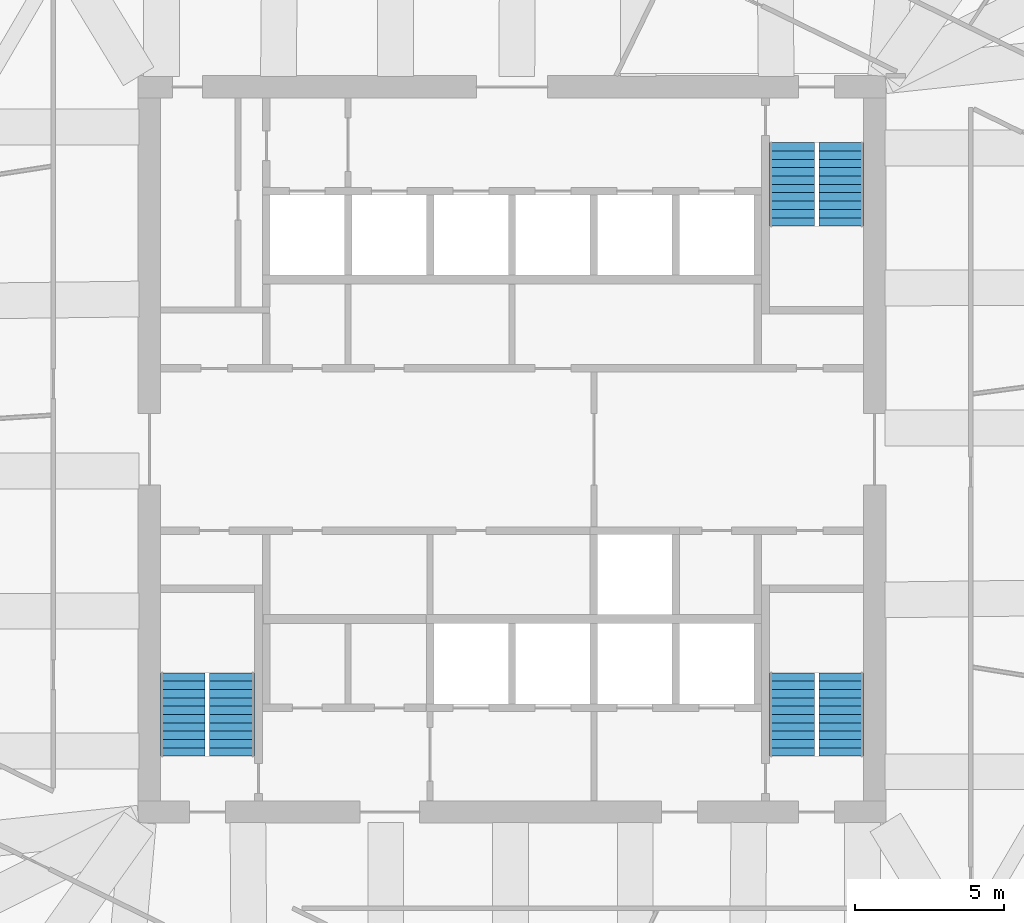
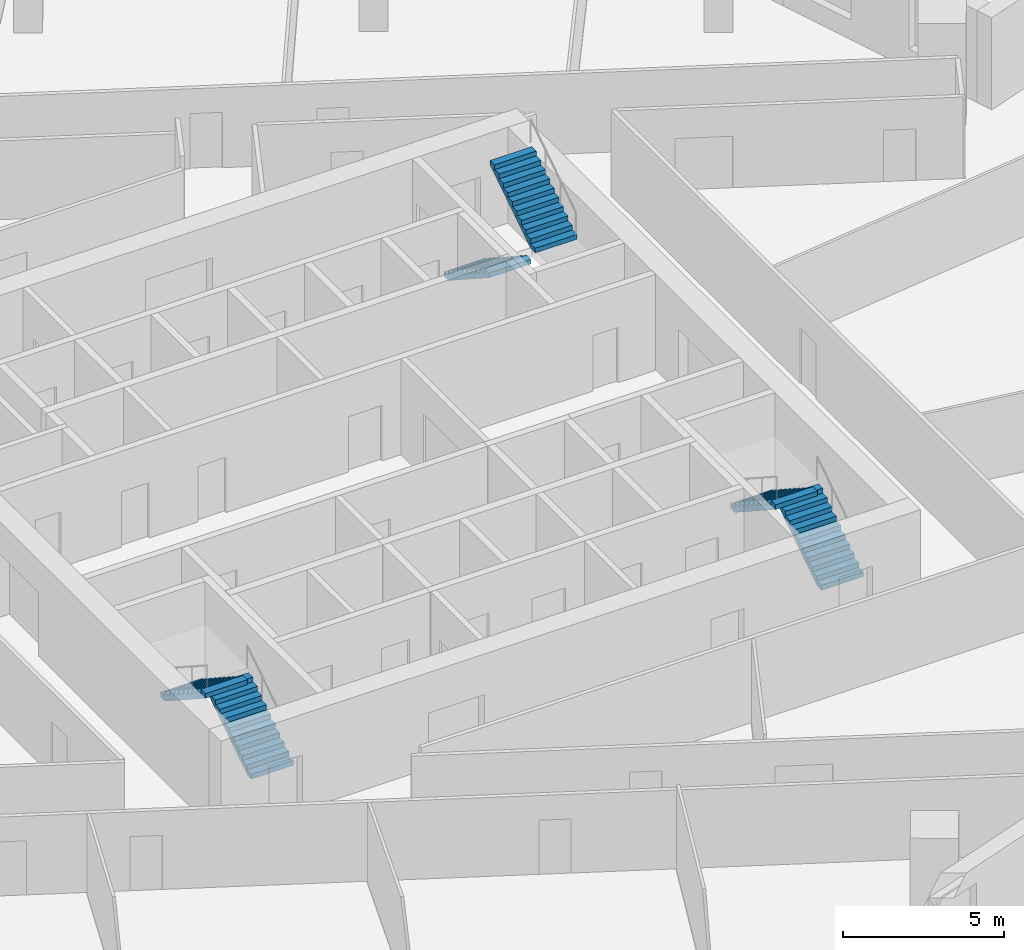
# One storey, part 11 of 13: 6 stair flights, 3 elements without a shape of their own.
"""IFC4 building model written with IfcOpenShell, lengths in metres."""

from ifc_helpers import new_model, si_unit, direction, frame, origin, place, context, subcontext, project, spatial, polyline, outline, extrude, material, type_object, element, aggregate, save


model = new_model("IFC4")

# Units and contexts
model_context = context("Model", 3, precision=1e-05, world=origin(), true_north=direction((0.0, 1.0)))
body_context = subcontext(model_context, "Body", "Model", "MODEL_VIEW")
ifc_project = project(units=[si_unit("LENGTHUNIT", "METRE"), si_unit("AREAUNIT", "SQUARE_METRE"), si_unit("VOLUMEUNIT", "CUBIC_METRE"), si_unit("PLANEANGLEUNIT", "RADIAN"), si_unit("MASSUNIT", "GRAM", prefix="KILO")], contexts=[model_context])

# Site, building, storey
site_placement = place(None, origin())
site = spatial("IfcSite", under=ifc_project, at=site_placement, CompositionType="ELEMENT")
building_placement = place(site_placement, origin())
building = spatial("IfcBuilding", under=site, at=building_placement, Name="Dilmun Exchange Tower", CompositionType="ELEMENT")
storey_placement = place(building_placement, frame((0.0, 0.0, 282.89990234375)))
storey = spatial("IfcBuildingStorey", under=building, at=storey_placement, Name="L67", CompositionType="ELEMENT", Elevation=282.89990234375)

# Stair, stair flights
ifc_material = material(Name="Concrete C40/50", Category="concrete")
stair_type = type_object("IfcStairType", Name="Exit stair 1500 half-turn", PredefinedType="HALF_TURN_STAIR", material=ifc_material)
stair_1_placement = place(storey_placement, origin())
stair_1 = element("IfcStair", 1, at=stair_1_placement, inside=storey, type_object=stair_type, Name="L67 Protected exit stair ST1", PredefinedType="HALF_TURN_STAIR")
stair_flight_type = type_object("IfcStairFlightType", Name="Exit stair flight 1500", PredefinedType="STRAIGHT", material=ifc_material)
stair_flight_1_placement = place(storey_placement, frame((9.39990234375, 10.300048828125, 0.0), z_axis=(0.0, 0.0, 1.0), x_axis=(0.0, -1.0, 0.0)))
stair_flight_1 = element("IfcStairFlight", 2, at=stair_flight_1_placement, type_object=stair_flight_type, Name="ST1 flight 1", NumberOfRisers=11, NumberOfTreads=10, PredefinedType="STRAIGHT", RiserHeight=0.181818182, TreadLength=0.28, context=body_context, shape_type="SweptSolid", body=[
    extrude(outline(polyline([(0.0, 0.0), (0.0, 0.181884765625), (0.280029296875, 0.181884765625), (0.280029296875, 0.363525390625), (0.56005859375, 0.363525390625), (0.56005859375, 0.54541015625), (0.840087890625, 0.54541015625), (0.840087890625, 0.727294921875), (1.1201171875, 0.727294921875), (1.1201171875, 0.9091796875), (1.39990234375, 0.9091796875), (1.39990234375, 1.0908203125), (1.679931640625, 1.0908203125), (1.679931640625, 1.272705078125), (1.9599609375, 1.272705078125), (1.9599609375, 1.45458984375), (2.239990234375, 1.45458984375), (2.239990234375, 1.636474609375), (2.52001953125, 1.636474609375), (2.52001953125, 1.818115234375), (2.800048828125, 1.818115234375), (2.800048828125, 2.0), (2.800048828125, 1.639404296875), (0.275146484375, 0.0), (0.0, 0.0)])), frame((0.0, 0.75, 0.0), z_axis=(0.0, -1.0, 0.0), x_axis=(1.0, 0.0, 0.0)), (0.0, 0.0, 1.0), 1.5),
])
stair_flight_2_placement = place(storey_placement, frame((11.050048828125, 7.5, 2.0), z_axis=(0.0, 0.0, 1.0), x_axis=(0.0, 1.0, 0.0)))
stair_flight_2 = element("IfcStairFlight", 3, at=stair_flight_2_placement, type_object=stair_flight_type, Name="ST1 flight 2", NumberOfRisers=11, NumberOfTreads=10, PredefinedType="STRAIGHT", RiserHeight=0.181818182, TreadLength=0.28, context=body_context, shape_type="SweptSolid", body=[
    extrude(outline(polyline([(0.0, 0.0), (0.0, 0.181884765625), (0.280029296875, 0.181884765625), (0.280029296875, 0.363525390625), (0.56005859375, 0.363525390625), (0.56005859375, 0.54541015625), (0.840087890625, 0.54541015625), (0.840087890625, 0.727294921875), (1.1201171875, 0.727294921875), (1.1201171875, 0.9091796875), (1.39990234375, 0.9091796875), (1.39990234375, 1.0908203125), (1.679931640625, 1.0908203125), (1.679931640625, 1.272705078125), (1.9599609375, 1.272705078125), (1.9599609375, 1.45458984375), (2.239990234375, 1.45458984375), (2.239990234375, 1.636474609375), (2.52001953125, 1.636474609375), (2.52001953125, 1.818115234375), (2.800048828125, 1.818115234375), (2.800048828125, 2.0), (2.800048828125, 1.639404296875), (0.275146484375, 0.0), (0.0, 0.0)])), frame((0.0, 0.75, 0.0), z_axis=(0.0, -1.0, 0.0), x_axis=(1.0, 0.0, 0.0)), (0.0, 0.0, 1.0), 1.5),
])
aggregate(stair_1, [stair_flight_1, stair_flight_2])

stair_2_placement = place(storey_placement, origin())
stair_2 = element("IfcStair", 4, at=stair_2_placement, inside=storey, type_object=stair_type, Name="L67 Protected exit stair ST2", PredefinedType="HALF_TURN_STAIR")
stair_flight_3_placement = place(storey_placement, frame((-9.39990234375, -10.300048828125, 0.0), z_axis=(0.0, 0.0, 1.0), x_axis=(0.0, 1.0, 0.0)))
stair_flight_3 = element("IfcStairFlight", 5, at=stair_flight_3_placement, type_object=stair_flight_type, Name="ST2 flight 1", NumberOfRisers=11, NumberOfTreads=10, PredefinedType="STRAIGHT", RiserHeight=0.181818182, TreadLength=0.28, context=body_context, shape_type="SweptSolid", body=[
    extrude(outline(polyline([(0.0, 0.0), (0.0, 0.181884765625), (0.280029296875, 0.181884765625), (0.280029296875, 0.363525390625), (0.56005859375, 0.363525390625), (0.56005859375, 0.54541015625), (0.840087890625, 0.54541015625), (0.840087890625, 0.727294921875), (1.1201171875, 0.727294921875), (1.1201171875, 0.9091796875), (1.39990234375, 0.9091796875), (1.39990234375, 1.0908203125), (1.679931640625, 1.0908203125), (1.679931640625, 1.272705078125), (1.9599609375, 1.272705078125), (1.9599609375, 1.45458984375), (2.239990234375, 1.45458984375), (2.239990234375, 1.636474609375), (2.52001953125, 1.636474609375), (2.52001953125, 1.818115234375), (2.800048828125, 1.818115234375), (2.800048828125, 2.0), (2.800048828125, 1.639404296875), (0.275146484375, 0.0), (0.0, 0.0)])), frame((0.0, 0.75, 0.0), z_axis=(0.0, -1.0, 0.0), x_axis=(1.0, 0.0, 0.0)), (0.0, 0.0, 1.0), 1.5),
])
stair_flight_4_placement = place(storey_placement, frame((-11.050048828125, -7.5, 2.0), z_axis=(0.0, 0.0, 1.0), x_axis=(0.0, -1.0, 0.0)))
stair_flight_4 = element("IfcStairFlight", 6, at=stair_flight_4_placement, type_object=stair_flight_type, Name="ST2 flight 2", NumberOfRisers=11, NumberOfTreads=10, PredefinedType="STRAIGHT", RiserHeight=0.181818182, TreadLength=0.28, context=body_context, shape_type="SweptSolid", body=[
    extrude(outline(polyline([(0.0, 0.0), (0.0, 0.181884765625), (0.280029296875, 0.181884765625), (0.280029296875, 0.363525390625), (0.56005859375, 0.363525390625), (0.56005859375, 0.54541015625), (0.840087890625, 0.54541015625), (0.840087890625, 0.727294921875), (1.1201171875, 0.727294921875), (1.1201171875, 0.9091796875), (1.39990234375, 0.9091796875), (1.39990234375, 1.0908203125), (1.679931640625, 1.0908203125), (1.679931640625, 1.272705078125), (1.9599609375, 1.272705078125), (1.9599609375, 1.45458984375), (2.239990234375, 1.45458984375), (2.239990234375, 1.636474609375), (2.52001953125, 1.636474609375), (2.52001953125, 1.818115234375), (2.800048828125, 1.818115234375), (2.800048828125, 2.0), (2.800048828125, 1.639404296875), (0.275146484375, 0.0), (0.0, 0.0)])), frame((0.0, 0.75, 0.0), z_axis=(0.0, -1.0, 0.0), x_axis=(1.0, 0.0, 0.0)), (0.0, 0.0, 1.0), 1.5),
])
aggregate(stair_2, [stair_flight_3, stair_flight_4])

stair_3_placement = place(storey_placement, origin())
stair_3 = element("IfcStair", 7, at=stair_3_placement, inside=storey, type_object=stair_type, Name="L67 Protected exit stair ST3", PredefinedType="HALF_TURN_STAIR")
stair_flight_5_placement = place(storey_placement, frame((11.050048828125, -10.300048828125, 0.0), z_axis=(0.0, 0.0, 1.0), x_axis=(0.0, 1.0, 0.0)))
stair_flight_5 = element("IfcStairFlight", 8, at=stair_flight_5_placement, type_object=stair_flight_type, Name="ST3 flight 1", NumberOfRisers=11, NumberOfTreads=10, PredefinedType="STRAIGHT", RiserHeight=0.181818182, TreadLength=0.28, context=body_context, shape_type="SweptSolid", body=[
    extrude(outline(polyline([(0.0, 0.0), (0.0, 0.181884765625), (0.280029296875, 0.181884765625), (0.280029296875, 0.363525390625), (0.56005859375, 0.363525390625), (0.56005859375, 0.54541015625), (0.840087890625, 0.54541015625), (0.840087890625, 0.727294921875), (1.1201171875, 0.727294921875), (1.1201171875, 0.9091796875), (1.39990234375, 0.9091796875), (1.39990234375, 1.0908203125), (1.679931640625, 1.0908203125), (1.679931640625, 1.272705078125), (1.9599609375, 1.272705078125), (1.9599609375, 1.45458984375), (2.239990234375, 1.45458984375), (2.239990234375, 1.636474609375), (2.52001953125, 1.636474609375), (2.52001953125, 1.818115234375), (2.800048828125, 1.818115234375), (2.800048828125, 2.0), (2.800048828125, 1.639404296875), (0.275146484375, 0.0), (0.0, 0.0)])), frame((0.0, 0.75, 0.0), z_axis=(0.0, -1.0, 0.0), x_axis=(1.0, 0.0, 0.0)), (0.0, 0.0, 1.0), 1.5),
])
stair_flight_6_placement = place(storey_placement, frame((9.39990234375, -7.5, 2.0), z_axis=(0.0, 0.0, 1.0), x_axis=(0.0, -1.0, 0.0)))
stair_flight_6 = element("IfcStairFlight", 9, at=stair_flight_6_placement, type_object=stair_flight_type, Name="ST3 flight 2", NumberOfRisers=11, NumberOfTreads=10, PredefinedType="STRAIGHT", RiserHeight=0.181818182, TreadLength=0.28, context=body_context, shape_type="SweptSolid", body=[
    extrude(outline(polyline([(0.0, 0.0), (0.0, 0.181884765625), (0.280029296875, 0.181884765625), (0.280029296875, 0.363525390625), (0.56005859375, 0.363525390625), (0.56005859375, 0.54541015625), (0.840087890625, 0.54541015625), (0.840087890625, 0.727294921875), (1.1201171875, 0.727294921875), (1.1201171875, 0.9091796875), (1.39990234375, 0.9091796875), (1.39990234375, 1.0908203125), (1.679931640625, 1.0908203125), (1.679931640625, 1.272705078125), (1.9599609375, 1.272705078125), (1.9599609375, 1.45458984375), (2.239990234375, 1.45458984375), (2.239990234375, 1.636474609375), (2.52001953125, 1.636474609375), (2.52001953125, 1.818115234375), (2.800048828125, 1.818115234375), (2.800048828125, 2.0), (2.800048828125, 1.639404296875), (0.275146484375, 0.0), (0.0, 0.0)])), frame((0.0, 0.75, 0.0), z_axis=(0.0, -1.0, 0.0), x_axis=(1.0, 0.0, 0.0)), (0.0, 0.0, 1.0), 1.5),
])
aggregate(stair_3, [stair_flight_5, stair_flight_6])

save(model, "model.ifc")
